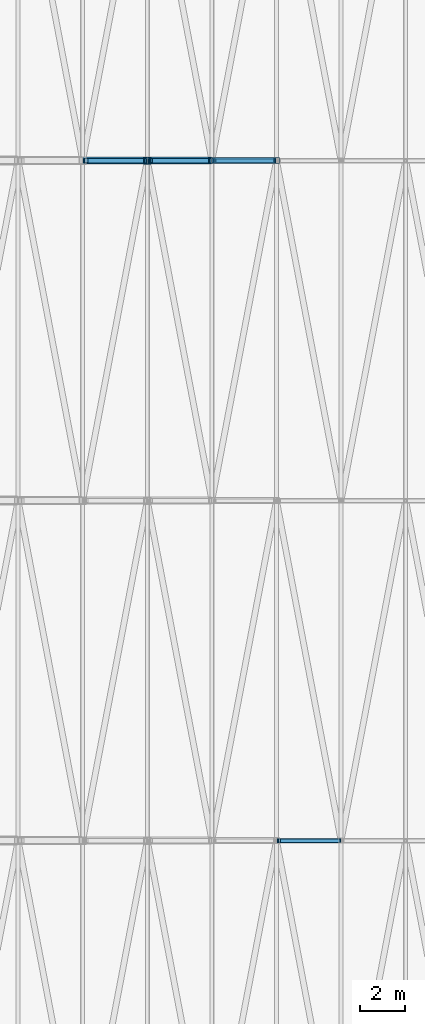
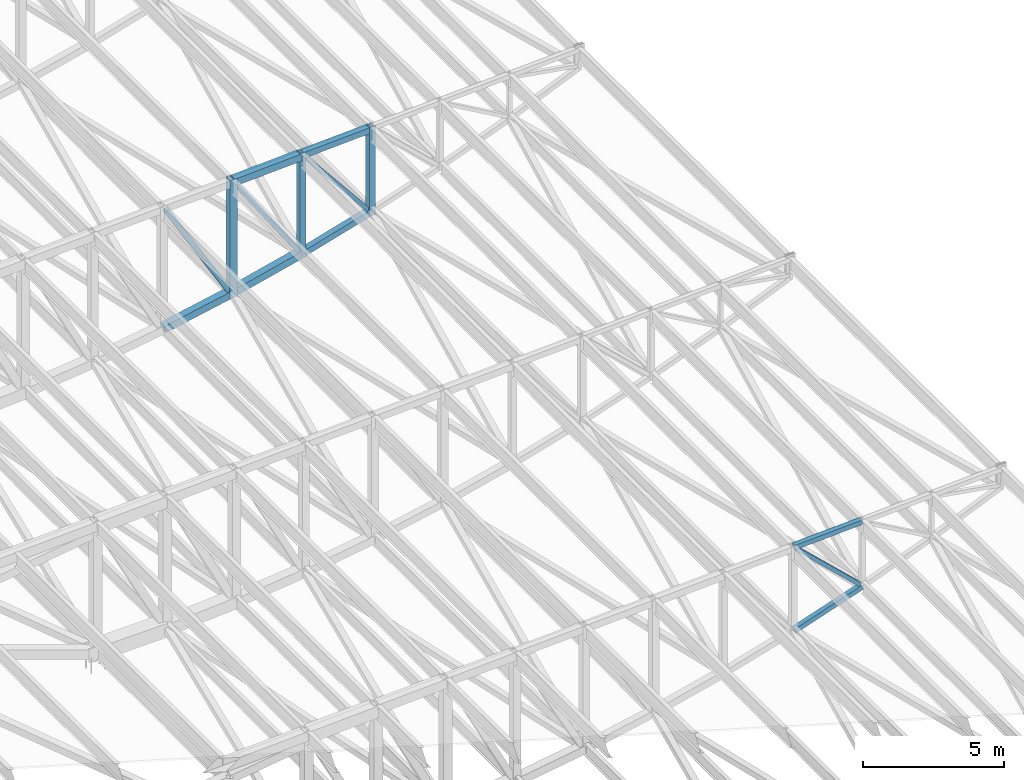
# One storey, part 39 of 278: 10 beams, 4 members.
"""IFC4 building model written with IfcOpenShell, lengths in metres."""

from ifc_helpers import new_model, si_unit, direction, frame, origin, origin_2d, place, context, subcontext, project, spatial, hollow_rectangle, extrude, material, material_profile, profile_set, type_object, element, save


model = new_model("IFC4")

# Units and contexts
model_context = context("Model", 3, precision=1e-05, world=origin(), true_north=direction((0.0, 1.0)))
body_context = subcontext(model_context, "Body", "Model", "MODEL_VIEW")
ifc_project = project(units=[si_unit("LENGTHUNIT", "METRE"), si_unit("AREAUNIT", "SQUARE_METRE"), si_unit("VOLUMEUNIT", "CUBIC_METRE"), si_unit("PLANEANGLEUNIT", "RADIAN"), si_unit("MASSUNIT", "GRAM", prefix="KILO")], contexts=[model_context])

# Site, building, storey
site_placement = place(None, origin())
site = spatial("IfcSite", under=ifc_project, at=site_placement, CompositionType="ELEMENT")
building_placement = place(site_placement, origin())
building = spatial("IfcBuilding", under=site, at=building_placement, Name="Ogive Plaza Stadium", CompositionType="ELEMENT")
storey_placement = place(building_placement, frame((0.0, 0.0, 29.0)))
storey = spatial("IfcBuildingStorey", under=building, at=storey_placement, Name="Roof", CompositionType="ELEMENT", Elevation=29.0)

# Beams
ifc_material_1 = material(Name="Steel ASTM A500 Grade C", Category="steel")
ifc_material_profile_1 = material_profile(ifc_material_1, hollow_rectangle(XDim=0.25390625, YDim=0.25390625, WallThickness=0.01171875, at=origin_2d()), Name="HSS10X10X1/2")
ifc_profile_set_1 = profile_set([ifc_material_profile_1], Name="Steel ASTM A500 Grade C")
beam_type_1 = type_object("IfcBeamType", Name="Roof truss bottom chord HSS10X10X1/2", PredefinedType="BEAM", material=ifc_profile_set_1)
beam_1_placement = place(storey_placement, frame((-54.10009765625, 22.5, 3.265869140625), z_axis=(-0.959640437259, 0.0, -0.281229854705), x_axis=(0.0, -1.0, 0.0)))
element("IfcBeam", 1, at=beam_1_placement, inside=storey, type_object=beam_type_1, Name="ROOF TRUSS T26 BOTTOM CHORD 4", PredefinedType="BEAM", context=body_context, shape_type="SweptSolid", body=[
    extrude(hollow_rectangle(XDim=0.25390625, YDim=0.25390625, WallThickness=0.01171875, at=origin_2d()), origin(), (0.0, 0.0, 1.0), 2.86572265625),
])
ifc_material_2 = material(Name="Steel ASTM A500 Grade C", Category="steel")
ifc_material_profile_2 = material_profile(ifc_material_2, hollow_rectangle(XDim=0.3046875, YDim=0.3046875, WallThickness=0.0146484375, at=origin_2d()), Name="HSS12X12X5/8")
ifc_profile_set_2 = profile_set([ifc_material_profile_2], Name="Steel ASTM A500 Grade C")
beam_type_2 = type_object("IfcBeamType", Name="Roof truss bottom chord HSS12X12X5/8", PredefinedType="BEAM", material=ifc_profile_set_2)
beam_2_placement = place(storey_placement, frame((-56.949951171875, 22.5, 2.45751953125), z_axis=(-0.970607032995, 0.0, -0.240669872439), x_axis=(0.0, -1.0, 0.0)))
element("IfcBeam", 2, at=beam_2_placement, inside=storey, type_object=beam_type_2, Name="ROOF TRUSS T26 BOTTOM CHORD 5", PredefinedType="BEAM", context=body_context, shape_type="SweptSolid", body=[
    extrude(hollow_rectangle(XDim=0.3046875, YDim=0.3046875, WallThickness=0.0146484375, at=origin_2d()), origin(), (0.0, 0.0, 1.0), 2.833251953125),
])
beam_3_placement = place(storey_placement, frame((-59.800048828125, 22.5, 1.751708984375), z_axis=(-0.980021250437, 0.0, -0.19889280704), x_axis=(0.0, -1.0, 0.0)))
element("IfcBeam", 3, at=beam_3_placement, inside=storey, type_object=beam_type_2, Name="ROOF TRUSS T26 BOTTOM CHORD 6", PredefinedType="BEAM", context=body_context, shape_type="SweptSolid", body=[
    extrude(hollow_rectangle(XDim=0.3046875, YDim=0.3046875, WallThickness=0.0146484375, at=origin_2d()), origin(), (0.0, 0.0, 1.0), 2.80615234375),
])
ifc_material_3 = material(Name="Steel ASTM A500 Grade C", Category="steel")
ifc_material_profile_3 = material_profile(ifc_material_3, hollow_rectangle(XDim=0.203125, YDim=0.203125, WallThickness=0.01171875, at=origin_2d()), Name="HSS8X8X1/2")
ifc_profile_set_3 = profile_set([ifc_material_profile_3], Name="Steel ASTM A500 Grade C")
beam_type_3 = type_object("IfcBeamType", Name="Roof truss bottom chord HSS8X8X1/2", PredefinedType="BEAM", material=ifc_profile_set_3)
beam_4_placement = place(storey_placement, frame((-51.24072265625, -7.5, 4.20556640625), z_axis=(-0.947299736415, 0.0, -0.320348574817), x_axis=(0.0, -1.0, 0.0)))
element("IfcBeam", 4, at=beam_4_placement, inside=storey, type_object=beam_type_3, Name="ROOF TRUSS T24 BOTTOM CHORD 3", PredefinedType="BEAM", context=body_context, shape_type="SweptSolid", body=[
    extrude(hollow_rectangle(XDim=0.203125, YDim=0.203125, WallThickness=0.01171875, at=origin_2d()), origin(), (0.0, 0.0, 1.0), 2.912841796875),
])

# Members
ifc_material_4 = material(Name="Steel ASTM A500 Grade C", Category="steel")
ifc_material_profile_4 = material_profile(ifc_material_4, hollow_rectangle(XDim=0.15234375, YDim=0.15234375, WallThickness=0.0087890625, at=origin_2d()), Name="HSS6X6X3/8")
ifc_profile_set_4 = profile_set([ifc_material_profile_4], Name="Steel ASTM A500 Grade C")
member_type_1 = type_object("IfcMemberType", Name="Roof truss diagonal HSS6X6X3/8", PredefinedType="BRACE", material=ifc_profile_set_4)
member_1_placement = place(storey_placement, frame((-51.301513671875, -7.5, 4.315185546875), z_axis=(-0.726588919749, 0.0, 0.687072442832), x_axis=(0.0, -1.0, 0.0)))
element("IfcMember", 5, at=member_1_placement, inside=storey, type_object=member_type_1, Name="ROOF TRUSS T24 DIAGONAL 3", PredefinedType="BRACE", context=body_context, shape_type="SweptSolid", body=[
    extrude(hollow_rectangle(XDim=0.15234375, YDim=0.15234375, WallThickness=0.0087890625, at=origin_2d()), origin(), (0.0, 0.0, 1.0), 3.608154296875),
])
member_2_placement = place(storey_placement, frame((-54.177001953125, 22.5, 3.40234375), z_axis=(-0.630150764463, 0.0, 0.77647280316), x_axis=(0.0, -1.0, 0.0)))
element("IfcMember", 6, at=member_2_placement, inside=storey, type_object=member_type_1, Name="ROOF TRUSS T26 DIAGONAL 4", PredefinedType="BRACE", context=body_context, shape_type="SweptSolid", body=[
    extrude(hollow_rectangle(XDim=0.15234375, YDim=0.15234375, WallThickness=0.0087890625, at=origin_2d()), origin(), (0.0, 0.0, 1.0), 4.11962890625),
])
ifc_material_5 = material(Name="Steel ASTM A500 Grade C", Category="steel")
ifc_material_profile_5 = material_profile(ifc_material_5, hollow_rectangle(XDim=0.203125, YDim=0.203125, WallThickness=0.0087890625, at=origin_2d()), Name="HSS8X8X3/8")
ifc_profile_set_5 = profile_set([ifc_material_profile_5], Name="Steel ASTM A500 Grade C")
member_type_2 = type_object("IfcMemberType", Name="Roof truss diagonal HSS8X8X3/8", PredefinedType="BRACE", material=ifc_profile_set_5)
member_3_placement = place(storey_placement, frame((-57.027099609375, 22.5, 2.617919921875), z_axis=(-0.561338440243, 0.0, 0.827586343233), x_axis=(0.0, -1.0, 0.0)))
element("IfcMember", 7, at=member_3_placement, inside=storey, type_object=member_type_2, Name="ROOF TRUSS T26 DIAGONAL 5", PredefinedType="BRACE", context=body_context, shape_type="SweptSolid", body=[
    extrude(hollow_rectangle(XDim=0.203125, YDim=0.203125, WallThickness=0.0087890625, at=origin_2d()), origin(), (0.0, 0.0, 1.0), 4.579345703125),
])
member_4_placement = place(storey_placement, frame((-59.90234375, 22.5, 1.9111328125), z_axis=(-0.504659398762, 0.0, 0.863318534054), x_axis=(0.0, -1.0, 0.0)))
element("IfcMember", 8, at=member_4_placement, inside=storey, type_object=member_type_2, Name="ROOF TRUSS T26 DIAGONAL 6", PredefinedType="BRACE", context=body_context, shape_type="SweptSolid", body=[
    extrude(hollow_rectangle(XDim=0.203125, YDim=0.203125, WallThickness=0.0087890625, at=origin_2d()), origin(), (0.0, 0.0, 1.0), 5.043212890625),
])

# Beams
ifc_material_6 = material(Name="Steel ASTM A500 Grade C", Category="steel")
ifc_material_profile_6 = material_profile(ifc_material_6, hollow_rectangle(XDim=0.25390625, YDim=0.25390625, WallThickness=0.01171875, at=origin_2d()), Name="HSS10X10X1/2")
ifc_profile_set_6 = profile_set([ifc_material_profile_6], Name="Steel ASTM A500 Grade C")
beam_type_4 = type_object("IfcBeamType", Name="Roof truss post HSS10X10X1/2", PredefinedType="BEAM", material=ifc_profile_set_6)
beam_5_placement = place(storey_placement, frame((-54.050048828125, 22.5, 3.148193359375), z_axis=(0.0, 0.0, 1.0), x_axis=(0.0, -1.0, 0.0)))
element("IfcBeam", 9, at=beam_5_placement, inside=storey, type_object=beam_type_4, Name="ROOF TRUSS T26 POST 4", PredefinedType="BEAM", context=body_context, shape_type="SweptSolid", body=[
    extrude(hollow_rectangle(XDim=0.25390625, YDim=0.25390625, WallThickness=0.01171875, at=origin_2d()), origin(), (0.0, 0.0, 1.0), 3.849365234375),
])
beam_6_placement = place(storey_placement, frame((-56.89990234375, 22.5, 2.31298828125), z_axis=(0.0, 0.0, 1.0), x_axis=(0.0, -1.0, 0.0)))
element("IfcBeam", 10, at=beam_6_placement, inside=storey, type_object=beam_type_4, Name="ROOF TRUSS T26 POST 5", PredefinedType="BEAM", context=body_context, shape_type="SweptSolid", body=[
    extrude(hollow_rectangle(XDim=0.25390625, YDim=0.25390625, WallThickness=0.01171875, at=origin_2d()), origin(), (0.0, 0.0, 1.0), 4.5419921875),
])
ifc_material_7 = material(Name="Steel ASTM A500 Grade C", Category="steel")
ifc_material_profile_7 = material_profile(ifc_material_7, hollow_rectangle(XDim=0.3046875, YDim=0.3046875, WallThickness=0.01171875, at=origin_2d()), Name="HSS12X12X1/2")
ifc_profile_set_7 = profile_set([ifc_material_profile_7], Name="Steel ASTM A500 Grade C")
beam_type_5 = type_object("IfcBeamType", Name="Roof truss post HSS12X12X1/2", PredefinedType="BEAM", material=ifc_profile_set_7)
beam_7_placement = place(storey_placement, frame((-59.75, 22.5, 1.606201171875), z_axis=(0.0, 0.0, 1.0), x_axis=(0.0, -1.0, 0.0)))
element("IfcBeam", 11, at=beam_7_placement, inside=storey, type_object=beam_type_5, Name="ROOF TRUSS T26 POST 6", PredefinedType="BEAM", context=body_context, shape_type="SweptSolid", body=[
    extrude(hollow_rectangle(XDim=0.3046875, YDim=0.3046875, WallThickness=0.01171875, at=origin_2d()), origin(), (0.0, 0.0, 1.0), 5.106201171875),
])
ifc_material_8 = material(Name="Steel ASTM A500 Grade C", Category="steel")
ifc_material_profile_8 = material_profile(ifc_material_8, hollow_rectangle(XDim=0.25390625, YDim=0.25390625, WallThickness=0.0087890625, at=origin_2d()), Name="HSS10X10X3/8")
ifc_profile_set_8 = profile_set([ifc_material_profile_8], Name="Steel ASTM A500 Grade C")
beam_type_6 = type_object("IfcBeamType", Name="Roof truss top chord HSS10X10X3/8", PredefinedType="BEAM", material=ifc_profile_set_8)
beam_8_placement = place(storey_placement, frame((-54.10009765625, 22.5, 6.867919921875), z_axis=(-0.998748798523, 0.0, -0.05000837379), x_axis=(0.0, -1.0, 0.0)))
element("IfcBeam", 12, at=beam_8_placement, inside=storey, type_object=beam_type_6, Name="ROOF TRUSS T26 TOP CHORD 4", PredefinedType="BEAM", context=body_context, shape_type="SweptSolid", body=[
    extrude(hollow_rectangle(XDim=0.25390625, YDim=0.25390625, WallThickness=0.0087890625, at=origin_2d()), origin(), (0.0, 0.0, 1.0), 2.75341796875),
])
ifc_material_9 = material(Name="Steel ASTM A500 Grade C", Category="steel")
ifc_material_profile_9 = material_profile(ifc_material_9, hollow_rectangle(XDim=0.3046875, YDim=0.3046875, WallThickness=0.0087890625, at=origin_2d()), Name="HSS12X12X3/8")
ifc_profile_set_9 = profile_set([ifc_material_profile_9], Name="Steel ASTM A500 Grade C")
beam_type_7 = type_object("IfcBeamType", Name="Roof truss top chord HSS12X12X3/8", PredefinedType="BEAM", material=ifc_profile_set_9)
beam_9_placement = place(storey_placement, frame((-56.949951171875, 22.5, 6.699951171875), z_axis=(-0.998753223187, 0.0, -0.049919927615), x_axis=(0.0, -1.0, 0.0)))
element("IfcBeam", 13, at=beam_9_placement, inside=storey, type_object=beam_type_7, Name="ROOF TRUSS T26 TOP CHORD 5", PredefinedType="BEAM", context=body_context, shape_type="SweptSolid", body=[
    extrude(hollow_rectangle(XDim=0.3046875, YDim=0.3046875, WallThickness=0.0087890625, at=origin_2d()), origin(), (0.0, 0.0, 1.0), 2.75341796875),
])
ifc_material_10 = material(Name="Steel ASTM A500 Grade C", Category="steel")
ifc_material_profile_10 = material_profile(ifc_material_10, hollow_rectangle(XDim=0.203125, YDim=0.203125, WallThickness=0.0087890625, at=origin_2d()), Name="HSS8X8X3/8")
ifc_profile_set_10 = profile_set([ifc_material_profile_10], Name="Steel ASTM A500 Grade C")
beam_type_8 = type_object("IfcBeamType", Name="Roof truss top chord HSS8X8X3/8", PredefinedType="BEAM", material=ifc_profile_set_10)
beam_10_placement = place(storey_placement, frame((-51.25, -7.5, 7.035888671875), z_axis=(-0.998748798523, 0.0, -0.05000837379), x_axis=(0.0, -1.0, 0.0)))
element("IfcBeam", 14, at=beam_10_placement, inside=storey, type_object=beam_type_8, Name="ROOF TRUSS T24 TOP CHORD 3", PredefinedType="BEAM", context=body_context, shape_type="SweptSolid", body=[
    extrude(hollow_rectangle(XDim=0.203125, YDim=0.203125, WallThickness=0.0087890625, at=origin_2d()), origin(), (0.0, 0.0, 1.0), 2.75341796875),
])

save(model, "model.ifc")
